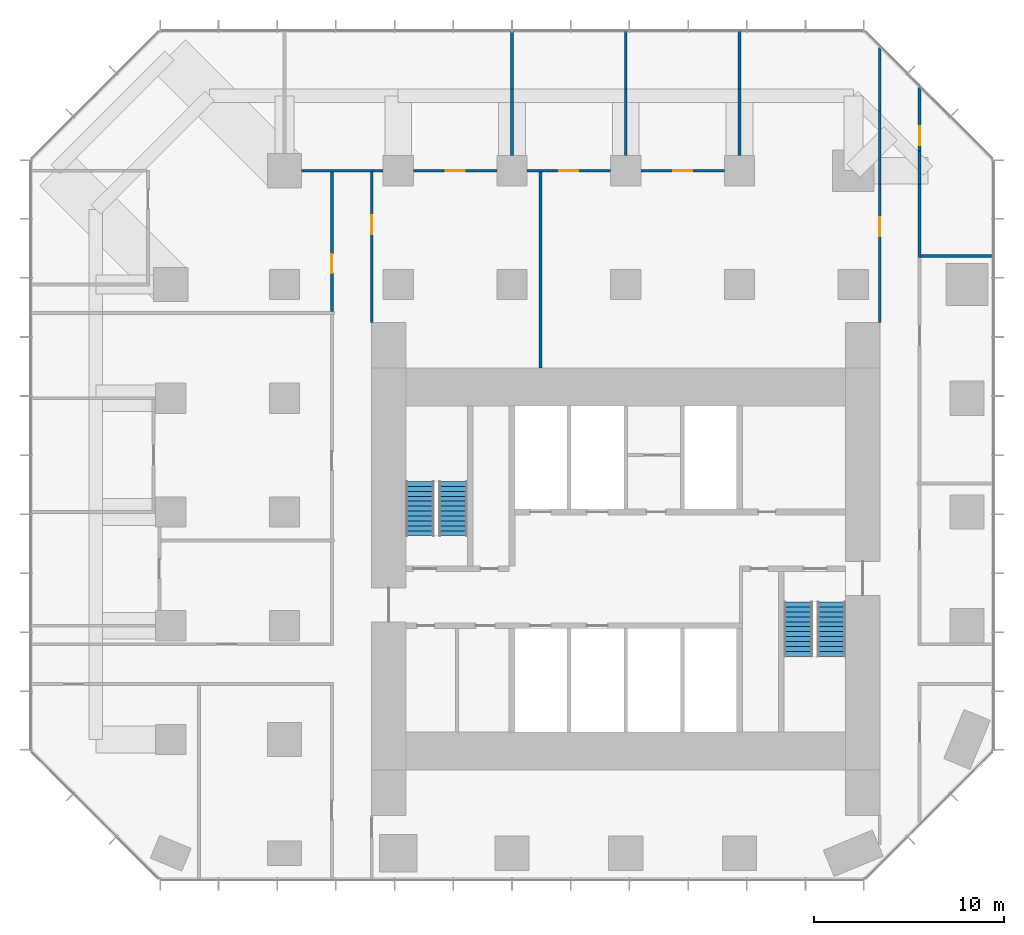
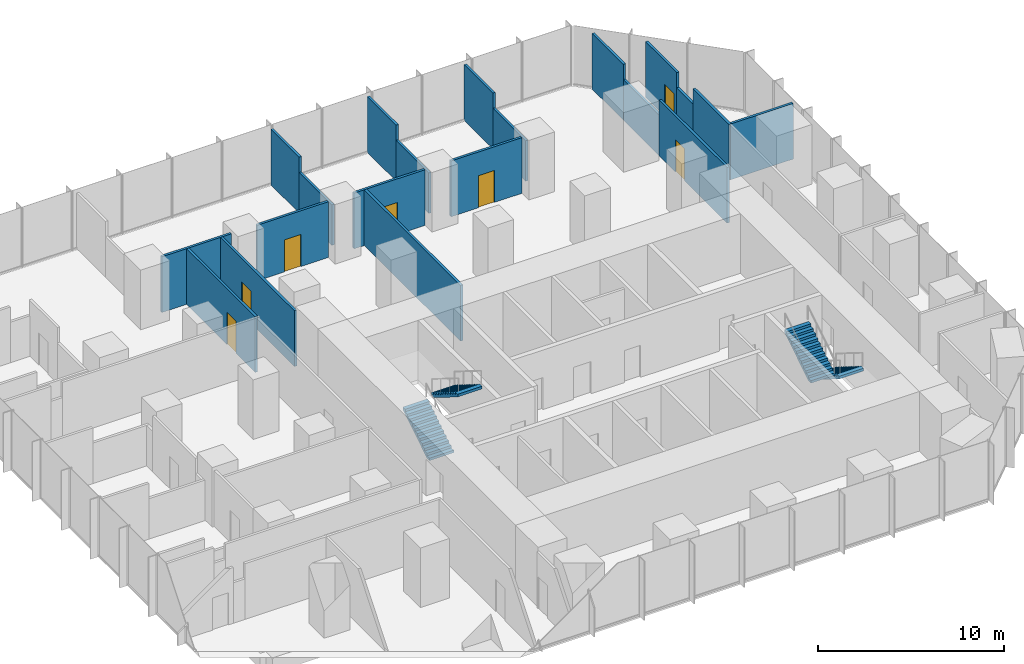
# One storey, part 10 of 11: 20 walls, 7 doors, 4 stair flights, 7 openings, 2 elements without a shape of their own.
"""IFC4 building model written with IfcOpenShell, lengths in metres."""

import ifcopenshell
import ifcopenshell.guid

model = None  # the IFC model being written
_history = None  # IfcOwnerHistory: only IFC2X3 demands one
_inside = {}  # id of a spatial element -> (the spatial element, [elements in it])
_under = {}  # id of a project, library or spatial element -> (it, [spatial elements below it])
_declared = {}  # id of a project -> (the project, [libraries it declares])
_typed = {}  # id of a type object -> (the type object, [elements of that type])
_made_of = {}  # id of a material, layer set ... -> (it, [elements and type objects made of it])


def new_model(schema):
    """Start an empty IFC model of exactly this schema.

    Asked for "IFC4X3", IfcOpenShell would pick the latest addendum, in which some entities
    have other attributes; the version numbers below select the first issue.
    IFC2X3 requires an IfcOwnerHistory on every rooted entity: one is made here for all.
    """
    global model, _history
    if schema == "IFC4X3":
        model = ifcopenshell.file(schema_version=(4, 3, 0, 0))
    else:
        model = ifcopenshell.file(schema=schema)
    _inside.clear()
    _under.clear()
    _declared.clear()
    _typed.clear()
    _made_of.clear()
    _history = None
    if model.schema == "IFC2X3":
        org = make("IfcOrganization", Name="unknown")
        user = make(
            "IfcPersonAndOrganization",
            ThePerson=make("IfcPerson", FamilyName="unknown"),
            TheOrganization=org,
        )
        app = make(
            "IfcApplication",
            ApplicationDeveloper=org,
            Version="unknown",
            ApplicationFullName="unknown",
            ApplicationIdentifier="unknown",
        )
        _history = make(
            "IfcOwnerHistory",
            OwningUser=user,
            OwningApplication=app,
            ChangeAction="ADDED",
            CreationDate=0,
        )
    return model


def make(cls, **values):
    """One entity of the class cls with the attributes given. An attribute that is None is left unset."""
    return model.create_entity(
        cls, **{name: value for name, value in values.items() if value is not None}
    )


def rooted(cls, **values):
    """An entity with a GlobalId (a new one), such as an element, a storey or a relation."""
    return make(cls, GlobalId=ifcopenshell.guid.new(), OwnerHistory=_history, **values)


def si_unit(unit_type, name, prefix=None):
    """IfcSIUnit, for example si_unit("LENGTHUNIT", "METRE", prefix="MILLI")."""
    return make("IfcSIUnit", UnitType=unit_type, Prefix=prefix, Name=name)


def assignment(units):
    """IfcUnitAssignment: the units of a project."""
    return None if units is None else make("IfcUnitAssignment", Units=units)


def point(xyz):
    """IfcCartesianPoint."""
    return None if xyz is None else make("IfcCartesianPoint", Coordinates=xyz)


def direction(xyz):
    """IfcDirection."""
    return None if xyz is None else make("IfcDirection", DirectionRatios=xyz)


def frame(location, z_axis=None, x_axis=None):
    """IfcAxis2Placement3D, a coordinate frame: its origin and axes. An axis left out is left unset."""
    return make(
        "IfcAxis2Placement3D",
        Location=point(location),
        Axis=direction(z_axis),
        RefDirection=direction(x_axis),
    )


def frame_2d(location, x_axis=None):
    """IfcAxis2Placement2D, a coordinate frame in the plane: its origin and x axis."""
    return make(
        "IfcAxis2Placement2D", Location=point(location), RefDirection=direction(x_axis)
    )


def origin():
    """The frame at (0, 0, 0) with its axes left unset."""
    return frame((0.0, 0.0, 0.0))


def place(relative_to, where):
    """IfcLocalPlacement: puts the frame where relative to a parent placement (None: the world)."""
    return make(
        "IfcLocalPlacement", PlacementRelTo=relative_to, RelativePlacement=where
    )


def context(
    kind, dimensions, precision=None, world=None, true_north=None, identifier=None
):
    """IfcGeometricRepresentationContext, for example the 3D "Model" context."""
    return make(
        "IfcGeometricRepresentationContext",
        ContextIdentifier=identifier,
        ContextType=kind,
        CoordinateSpaceDimension=dimensions,
        Precision=precision,
        WorldCoordinateSystem=world,
        TrueNorth=true_north,
    )


def subcontext(parent, identifier, kind, view, scale=None):
    """IfcGeometricRepresentationSubContext, for example "Body" below "Model"."""
    return make(
        "IfcGeometricRepresentationSubContext",
        ContextIdentifier=identifier,
        ContextType=kind,
        ParentContext=parent,
        TargetScale=scale,
        TargetView=view,
    )


def project(units=None, contexts=None):
    """IfcProject with its units and contexts."""
    return rooted(
        "IfcProject",
        Name="project",
        RepresentationContexts=contexts,
        UnitsInContext=assignment(units),
    )


def spatial(cls, under=None, at=None, **own):
    """A site, building, storey or space (cls), placed at a placement, below another one or the project."""
    s = rooted(cls, ObjectPlacement=at, **own)
    if under is not None:
        _under.setdefault(under.id(), (under, []))[1].append(s)
    return s


def polyline(points):
    """IfcPolyline through the points."""
    return make("IfcPolyline", Points=[point(p) for p in points])


def profile(cls, at=None, kind="AREA", **sizes):
    """A parametric profile (cls). Its sizes go by their IFC names, for example OverallWidth=200.0."""
    return make(cls, ProfileType=kind, Position=at, **sizes)


def rectangle(**sizes):
    """IfcRectangleProfileDef."""
    return profile("IfcRectangleProfileDef", **sizes)


def outline(outer, holes=None, kind="AREA"):
    """IfcArbitraryClosedProfileDef: a profile drawn as a closed curve; with holes, ...WithVoids."""
    if holes is None:
        return make("IfcArbitraryClosedProfileDef", ProfileType=kind, OuterCurve=outer)
    return make(
        "IfcArbitraryProfileDefWithVoids",
        ProfileType=kind,
        OuterCurve=outer,
        InnerCurves=holes,
    )


def extrude(swept, where, along, depth):
    """IfcExtrudedAreaSolid: the profile swept, set in the frame where, extruded along a direction by depth."""
    return make(
        "IfcExtrudedAreaSolid",
        SweptArea=swept,
        Position=where,
        ExtrudedDirection=direction(along),
        Depth=depth,
    )


def shape(context_of_items, identifier, shape_type, items):
    """IfcShapeRepresentation: the items that make up one representation, for example the "Body"."""
    return make(
        "IfcShapeRepresentation",
        ContextOfItems=context_of_items,
        RepresentationIdentifier=identifier,
        RepresentationType=shape_type,
        Items=items,
    )


def material(Name=None, Category=None):
    """IfcMaterial."""
    return make("IfcMaterial", Name=Name, Category=Category)


def layer(
    of_material, thickness, ventilated=None, Name=None, Category=None, Priority=None
):
    """IfcMaterialLayer: one layer of a wall or slab, of a material (None: an air gap)."""
    return make(
        "IfcMaterialLayer",
        Material=of_material,
        LayerThickness=thickness,
        IsVentilated=ventilated,
        Name=Name,
        Category=Category,
        Priority=Priority,
    )


def layer_set(layers, Name=None):
    """IfcMaterialLayerSet."""
    return make("IfcMaterialLayerSet", MaterialLayers=layers, LayerSetName=Name)


def made_of(thing, what):
    """Note that an element or type object is made of a material, layer set ...; save() writes the relation."""
    if what is not None:
        _made_of.setdefault(what.id(), (what, []))[1].append(thing)
    return thing


def type_object(cls, material=None, **own):
    """A type object (cls), such as IfcWallType, which elements share."""
    return made_of(rooted(cls, **own), material)


def element(
    cls,
    number,
    at=None,
    inside=None,
    cuts=None,
    type_object=None,
    material=None,
    context=None,
    identifier="Body",
    shape_type=None,
    held_by="IfcProductDefinitionShape",
    body=None,
    shapes=None,
    **own,
):
    """One element of the class cls, such as IfcWall. Its Tag is "e" and its number.

    at: its placement. inside: the storey or other place that contains it. cuts: it is an
    opening in that element (IfcRelVoidsElement). A single representation is given by context,
    identifier, shape_type and body (its items); several are given by shapes. held_by: the class
    of the entity that holds the representations. save() writes the other relations.
    """
    e = rooted(cls, Tag="e%d" % number, ObjectPlacement=at, **own)
    if body is not None:
        shapes = [shape(context, identifier, shape_type, body)]
    if shapes is not None:
        e.Representation = make(held_by, Representations=shapes)
    if inside is not None:
        _inside.setdefault(inside.id(), (inside, []))[1].append(e)
    if cuts is not None:
        rooted(
            "IfcRelVoidsElement", RelatingBuildingElement=cuts, RelatedOpeningElement=e
        )
    if type_object is not None:
        _typed.setdefault(type_object.id(), (type_object, []))[1].append(e)
    return made_of(e, material)


def fill(opening, filler):
    """IfcRelFillsElement: the door or window that sits in an opening."""
    return rooted(
        "IfcRelFillsElement",
        RelatingOpeningElement=opening,
        RelatedBuildingElement=filler,
    )


def aggregate(whole, parts):
    """IfcRelAggregates: a whole, such as a stair, and the parts it consists of."""
    return rooted("IfcRelAggregates", RelatingObject=whole, RelatedObjects=parts)


def save(model, path):
    """Write the relations noted so far, then the file.

    IfcRelAggregates (storeys below a building ...), IfcRelContainedInSpatialStructure (elements
    in a storey), IfcRelDefinesByType, IfcRelAssociatesMaterial and IfcRelDeclares: one each for
    every whole, place, type object, material and project.
    """
    for whole, parts in _under.values():
        aggregate(whole, parts)
    for where, things in _inside.values():
        rooted(
            "IfcRelContainedInSpatialStructure",
            RelatedElements=things,
            RelatingStructure=where,
        )
    for kind, things in _typed.values():
        rooted("IfcRelDefinesByType", RelatedObjects=things, RelatingType=kind)
    for what, things in _made_of.values():
        rooted("IfcRelAssociatesMaterial", RelatedObjects=things, RelatingMaterial=what)
    for by, libraries in _declared.values():
        rooted("IfcRelDeclares", RelatingContext=by, RelatedDefinitions=libraries)
    model.write(path)


model = new_model("IFC4")

# Units and contexts
model_context = context("Model", 3, precision=1e-05, world=origin(), true_north=direction((0.0, 1.0)))
body_context = subcontext(model_context, "Body", "Model", "MODEL_VIEW")
ifc_project = project(units=[si_unit("LENGTHUNIT", "METRE"), si_unit("AREAUNIT", "SQUARE_METRE"), si_unit("VOLUMEUNIT", "CUBIC_METRE"), si_unit("PLANEANGLEUNIT", "RADIAN"), si_unit("MASSUNIT", "GRAM", prefix="KILO")], contexts=[model_context])

# Site, building, storey
site_placement = place(None, origin())
site = spatial("IfcSite", under=ifc_project, at=site_placement, CompositionType="ELEMENT")
building_placement = place(site_placement, origin())
building = spatial("IfcBuilding", under=site, at=building_placement, Name="Highveld Stack Headquarters", CompositionType="ELEMENT")
storey_placement = place(building_placement, frame((0.0, 0.0, 109.39990234375)))
storey = spatial("IfcBuildingStorey", under=building, at=storey_placement, Name="L26", CompositionType="ELEMENT", Elevation=109.39990234375)

# Wall, opening, door
ifc_material_1 = material(Name="Laminated glass in aluminium frame", Category="aluminium")
ifc_layer_1 = layer(ifc_material_1, 0.14990234375)
ifc_layer_set_1 = layer_set([ifc_layer_1], Name="Laminated glass in aluminium frame")
wall_type_1 = type_object("IfcWallType", Name="GLAZED PARTITION 150", PredefinedType="PARTITIONING", material=ifc_layer_set_1)
wall_1_placement = place(storey_placement, frame((0.800048828125, 24.0, 0.0), z_axis=(0.0, 0.0, 1.0), x_axis=(1.0, 0.0, 0.0)))
wall_1 = element("IfcWall", 1, at=wall_1_placement, inside=storey, type_object=wall_type_1, Name="Glazed partition Meeting room L26", PredefinedType="PARTITIONING", context=body_context, shape_type="SweptSolid", body=[
    extrude(rectangle(XDim=4.39990234375, YDim=0.14990234375, at=frame_2d((2.199951171875, 0.0))), origin(), (0.0, 0.0, 1.0), 3.650146484375),
])
opening_1_placement = place(wall_1_placement, frame((1.699951171875, 0.0, 0.0)))
opening_1 = element("IfcOpeningElement", 2, at=opening_1_placement, cuts=wall_1, Name="Opening L26-16", PredefinedType="OPENING", context=body_context, shape_type="SweptSolid", body=[
    extrude(rectangle(XDim=1.0, YDim=2.10009765625, at=frame_2d((0.5, 1.050048828125))), frame((0.0, 0.0849609375, 0.0), z_axis=(0.0, -1.0, 0.0), x_axis=(1.0, 0.0, 0.0)), (0.0, 0.0, 1.0), 0.169921875),
])
ifc_material_2 = material(Name="Timber door, oiled ash", Category="wood")
door_type = type_object("IfcDoorType", Name="ROOM DOOR D6 1000x2100", OperationType="SINGLE_SWING_LEFT", PredefinedType="DOOR", material=ifc_material_2)
door_1_placement = place(opening_1_placement, origin())
door_1 = element("IfcDoor", 3, at=door_1_placement, inside=storey, type_object=door_type, Name="Meeting room door 1 L26", OperationType="SINGLE_SWING_RIGHT", OverallHeight=2.10009765625, OverallWidth=1.0, PredefinedType="DOOR", context=body_context, shape_type="SweptSolid", body=[
    extrude(rectangle(XDim=1.0, YDim=2.10009765625, at=frame_2d((0.5, 1.050048828125))), frame((0.0, 0.02490234375, 0.0), z_axis=(0.0, -1.0, 0.0), x_axis=(1.0, 0.0, 0.0)), (0.0, 0.0, 1.0), 0.050048828125),
])
fill(opening_1, door_1)

wall_2_placement = place(storey_placement, frame((6.800048828125, 24.0, 0.0), z_axis=(0.0, 0.0, 1.0), x_axis=(1.0, 0.0, 0.0)))
wall_2 = element("IfcWall", 4, at=wall_2_placement, inside=storey, type_object=wall_type_1, Name="Glazed partition Meeting room L26", PredefinedType="PARTITIONING", context=body_context, shape_type="SweptSolid", body=[
    extrude(rectangle(XDim=4.39990234375, YDim=0.14990234375, at=frame_2d((2.199951171875, 0.0))), origin(), (0.0, 0.0, 1.0), 3.650146484375),
])
opening_2_placement = place(wall_2_placement, frame((1.699951171875, 0.0, 0.0)))
opening_2 = element("IfcOpeningElement", 5, at=opening_2_placement, cuts=wall_2, Name="Opening L26-17", PredefinedType="OPENING", context=body_context, shape_type="SweptSolid", body=[
    extrude(rectangle(XDim=1.0, YDim=2.10009765625, at=frame_2d((0.5, 1.050048828125))), frame((0.0, 0.0849609375, 0.0), z_axis=(0.0, -1.0, 0.0), x_axis=(1.0, 0.0, 0.0)), (0.0, 0.0, 1.0), 0.169921875),
])
door_2_placement = place(opening_2_placement, origin())
door_2 = element("IfcDoor", 6, at=door_2_placement, inside=storey, type_object=door_type, Name="Meeting room door 1 L26", OperationType="SINGLE_SWING_RIGHT", OverallHeight=2.10009765625, OverallWidth=1.0, PredefinedType="DOOR", context=body_context, shape_type="SweptSolid", body=[
    extrude(rectangle(XDim=1.0, YDim=2.10009765625, at=frame_2d((0.5, 1.050048828125))), frame((0.0, 0.02490234375, 0.0), z_axis=(0.0, -1.0, 0.0), x_axis=(1.0, 0.0, 0.0)), (0.0, 0.0, 1.0), 0.050048828125),
])
fill(opening_2, door_2)

# Wall
ifc_material_3 = material(Name="Gypsum plasterboard on steel studs", Category="steel")
ifc_layer_2 = layer(ifc_material_3, 0.14990234375)
ifc_layer_set_2 = layer_set([ifc_layer_2], Name="Gypsum plasterboard on steel studs")
wall_type_2 = type_object("IfcWallType", Name="PARTITION 150 PLASTERBOARD", PredefinedType="PARTITIONING", material=ifc_layer_set_2)
wall_3_placement = place(storey_placement, frame((-11.10009765625, 24.0, 0.0), z_axis=(0.0, 0.0, 1.0), x_axis=(1.0, 0.0, 0.0)))
element("IfcWall", 7, at=wall_3_placement, inside=storey, type_object=wall_type_2, Name="Partition Team office L26", PredefinedType="PARTITIONING", context=body_context, shape_type="SweptSolid", body=[
    extrude(rectangle(XDim=4.300048828125, YDim=0.14990234375, at=frame_2d((2.14990234375, 0.0))), origin(), (0.0, 0.0, 1.0), 3.650146484375),
])

# Wall, opening, door
wall_4_placement = place(storey_placement, frame((-5.199951171875, 24.0, 0.0), z_axis=(0.0, 0.0, 1.0), x_axis=(1.0, 0.0, 0.0)))
wall_4 = element("IfcWall", 8, at=wall_4_placement, inside=storey, type_object=wall_type_2, Name="Partition Team office L26", PredefinedType="PARTITIONING", context=body_context, shape_type="SweptSolid", body=[
    extrude(rectangle(XDim=4.39990234375, YDim=0.14990234375, at=frame_2d((2.199951171875, 0.0))), origin(), (0.0, 0.0, 1.0), 3.650146484375),
])
opening_3_placement = place(wall_4_placement, frame((1.699951171875, 0.0, 0.0)))
opening_3 = element("IfcOpeningElement", 9, at=opening_3_placement, cuts=wall_4, Name="Opening L26-15", PredefinedType="OPENING", context=body_context, shape_type="SweptSolid", body=[
    extrude(rectangle(XDim=1.0, YDim=2.10009765625, at=frame_2d((0.5, 1.050048828125))), frame((0.0, 0.0849609375, 0.0), z_axis=(0.0, -1.0, 0.0), x_axis=(1.0, 0.0, 0.0)), (0.0, 0.0, 1.0), 0.169921875),
])
door_3_placement = place(opening_3_placement, origin())
door_3 = element("IfcDoor", 10, at=door_3_placement, inside=storey, type_object=door_type, Name="Team office door 1 L26", OperationType="SINGLE_SWING_LEFT", OverallHeight=2.10009765625, OverallWidth=1.0, PredefinedType="DOOR", context=body_context, shape_type="SweptSolid", body=[
    extrude(rectangle(XDim=1.0, YDim=2.10009765625, at=frame_2d((0.5, 1.050048828125))), frame((0.0, 0.02490234375, 0.0), z_axis=(0.0, -1.0, 0.0), x_axis=(1.0, 0.0, 0.0)), (0.0, 0.0, 1.0), 0.050048828125),
])
fill(opening_3, door_3)

# Walls
wall_5_placement = place(storey_placement, frame((0.0, 24.800048828125, 0.0), z_axis=(0.0, 0.0, 1.0), x_axis=(0.0, 1.0, 0.0)))
element("IfcWall", 11, at=wall_5_placement, inside=storey, type_object=wall_type_2, Name="Partition Meeting room / Team office L26", PredefinedType="PARTITIONING", context=body_context, shape_type="SweptSolid", body=[
    extrude(rectangle(XDim=3.510009765625, YDim=0.14990234375, at=frame_2d((1.7548828125, 0.0))), origin(), (0.0, 0.0, 1.0), 2.650146484375),
])
wall_6_placement = place(storey_placement, frame((0.0, 28.31005859375, 0.0), z_axis=(0.0, 0.0, 1.0), x_axis=(0.0, 1.0, 0.0)))
element("IfcWall", 12, at=wall_6_placement, inside=storey, type_object=wall_type_2, Name="Partition Meeting room / Team office L26", PredefinedType="PARTITIONING", context=body_context, shape_type="SweptSolid", body=[
    extrude(rectangle(XDim=3.0400390625, YDim=0.14990234375, at=frame_2d((1.52001953125, 0.0))), origin(), (0.0, 0.0, 1.0), 3.650146484375),
])
wall_7_placement = place(storey_placement, frame((6.0, 24.800048828125, 0.0), z_axis=(0.0, 0.0, 1.0), x_axis=(0.0, 1.0, 0.0)))
element("IfcWall", 13, at=wall_7_placement, inside=storey, type_object=wall_type_2, Name="Partition Meeting room L26", PredefinedType="PARTITIONING", context=body_context, shape_type="SweptSolid", body=[
    extrude(rectangle(XDim=3.510009765625, YDim=0.14990234375, at=frame_2d((1.7548828125, 0.0))), origin(), (0.0, 0.0, 1.0), 2.650146484375),
])
wall_8_placement = place(storey_placement, frame((6.0, 28.31005859375, 0.0), z_axis=(0.0, 0.0, 1.0), x_axis=(0.0, 1.0, 0.0)))
element("IfcWall", 14, at=wall_8_placement, inside=storey, type_object=wall_type_2, Name="Partition Meeting room L26", PredefinedType="PARTITIONING", context=body_context, shape_type="SweptSolid", body=[
    extrude(rectangle(XDim=3.08984375, YDim=0.14990234375, at=frame_2d((1.544921875, 0.0))), origin(), (0.0, 0.0, 1.0), 3.650146484375),
])
wall_9_placement = place(storey_placement, frame((12.0, 24.800048828125, 0.0), z_axis=(0.0, 0.0, 1.0), x_axis=(0.0, 1.0, 0.0)))
element("IfcWall", 15, at=wall_9_placement, inside=storey, type_object=wall_type_2, Name="Partition Meeting room L26", PredefinedType="PARTITIONING", context=body_context, shape_type="SweptSolid", body=[
    extrude(rectangle(XDim=3.510009765625, YDim=0.14990234375, at=frame_2d((1.7548828125, 0.0))), origin(), (0.0, 0.0, 1.0), 2.650146484375),
])
wall_10_placement = place(storey_placement, frame((12.0, 28.31005859375, 0.0), z_axis=(0.0, 0.0, 1.0), x_axis=(0.0, 1.0, 0.0)))
element("IfcWall", 16, at=wall_10_placement, inside=storey, type_object=wall_type_2, Name="Partition Meeting room L26", PredefinedType="PARTITIONING", context=body_context, shape_type="SweptSolid", body=[
    extrude(rectangle(XDim=3.08984375, YDim=0.14990234375, at=frame_2d((1.544921875, 0.0))), origin(), (0.0, 0.0, 1.0), 3.650146484375),
])

# Wall, opening, door
wall_11_placement = place(storey_placement, frame((-9.5, 16.574951171875, 0.0), z_axis=(0.0, 0.0, 1.0), x_axis=(0.0, 1.0, 0.0)))
wall_11 = element("IfcWall", 17, at=wall_11_placement, inside=storey, type_object=wall_type_2, Name="Partition office neighbourhood L26", PredefinedType="PARTITIONING", context=body_context, shape_type="SweptSolid", body=[
    extrude(rectangle(XDim=7.35009765625, YDim=0.14990234375, at=frame_2d((3.675048828125, 0.0))), origin(), (0.0, 0.0, 1.0), 3.650146484375),
])
opening_4_placement = place(wall_11_placement, frame((2.02392578125, 0.0, 0.0)))
opening_4 = element("IfcOpeningElement", 18, at=opening_4_placement, cuts=wall_11, Name="Opening L26-28", PredefinedType="OPENING", context=body_context, shape_type="SweptSolid", body=[
    extrude(rectangle(XDim=1.0, YDim=2.10009765625, at=frame_2d((0.5, 1.050048828125))), frame((0.0, 0.0849609375, 0.0), z_axis=(0.0, -1.0, 0.0), x_axis=(1.0, 0.0, 0.0)), (0.0, 0.0, 1.0), 0.169921875),
])
door_4_placement = place(opening_4_placement, origin())
door_4 = element("IfcDoor", 19, at=door_4_placement, inside=storey, type_object=door_type, Name="Office neighbourhood door L26", OperationType="SINGLE_SWING_LEFT", OverallHeight=2.10009765625, OverallWidth=1.0, PredefinedType="DOOR", context=body_context, shape_type="SweptSolid", body=[
    extrude(rectangle(XDim=1.0, YDim=2.10009765625, at=frame_2d((0.5, 1.050048828125))), frame((0.0, 0.02490234375, 0.0), z_axis=(0.0, -1.0, 0.0), x_axis=(1.0, 0.0, 0.0)), (0.0, 0.0, 1.0), 0.050048828125),
])
fill(opening_4, door_4)

wall_12_placement = place(storey_placement, frame((-7.39990234375, 16.0, 0.0), z_axis=(0.0, 0.0, 1.0), x_axis=(0.0, 1.0, 0.0)))
wall_12 = element("IfcWall", 20, at=wall_12_placement, inside=storey, type_object=wall_type_2, Name="Partition office neighbourhood L26", PredefinedType="PARTITIONING", context=body_context, shape_type="SweptSolid", body=[
    extrude(rectangle(XDim=7.925048828125, YDim=0.14990234375, at=frame_2d((3.96240234375, 0.0))), origin(), (0.0, 0.0, 1.0), 3.650146484375),
])
opening_5_placement = place(wall_12_placement, frame((4.65087890625, 0.0, 0.0)))
opening_5 = element("IfcOpeningElement", 21, at=opening_5_placement, cuts=wall_12, Name="Opening L26-25", PredefinedType="OPENING", context=body_context, shape_type="SweptSolid", body=[
    extrude(rectangle(XDim=1.0, YDim=2.10009765625, at=frame_2d((0.5, 1.050048828125))), frame((0.0, 0.0849609375, 0.0), z_axis=(0.0, -1.0, 0.0), x_axis=(1.0, 0.0, 0.0)), (0.0, 0.0, 1.0), 0.169921875),
])
door_5_placement = place(opening_5_placement, origin())
door_5 = element("IfcDoor", 22, at=door_5_placement, inside=storey, type_object=door_type, Name="Office neighbourhood door L26", OperationType="SINGLE_SWING_RIGHT", OverallHeight=2.10009765625, OverallWidth=1.0, PredefinedType="DOOR", context=body_context, shape_type="SweptSolid", body=[
    extrude(rectangle(XDim=1.0, YDim=2.10009765625, at=frame_2d((0.5, 1.050048828125))), frame((0.0, 0.02490234375, 0.0), z_axis=(0.0, -1.0, 0.0), x_axis=(1.0, 0.0, 0.0)), (0.0, 0.0, 1.0), 0.050048828125),
])
fill(opening_5, door_5)

# Wall
wall_13_placement = place(storey_placement, frame((1.5, 13.60009765625, 0.0), z_axis=(0.0, 0.0, 1.0), x_axis=(0.0, 1.0, 0.0)))
element("IfcWall", 23, at=wall_13_placement, inside=storey, type_object=wall_type_2, Name="Partition office neighbourhood L26", PredefinedType="PARTITIONING", context=body_context, shape_type="SweptSolid", body=[
    extrude(rectangle(XDim=10.324951171875, YDim=0.14990234375, at=frame_2d((5.16259765625, 0.0))), origin(), (0.0, 0.0, 1.0), 3.650146484375),
])

# Wall, opening, door
wall_14_placement = place(storey_placement, frame((19.39990234375, 16.0, 0.0), z_axis=(0.0, 0.0, 1.0), x_axis=(0.0, 1.0, 0.0)))
wall_14 = element("IfcWall", 24, at=wall_14_placement, inside=storey, type_object=wall_type_2, Name="Partition office neighbourhood L26", PredefinedType="PARTITIONING", context=body_context, shape_type="SweptSolid", body=[
    extrude(rectangle(XDim=7.2900390625, YDim=0.14990234375, at=frame_2d((3.64501953125, 0.0))), origin(), (0.0, 0.0, 1.0), 3.650146484375),
])
opening_6_placement = place(wall_14_placement, frame((4.553955078125, 0.0, 0.0)))
opening_6 = element("IfcOpeningElement", 25, at=opening_6_placement, cuts=wall_14, Name="Opening L26-26", PredefinedType="OPENING", context=body_context, shape_type="SweptSolid", body=[
    extrude(rectangle(XDim=1.0, YDim=2.10009765625, at=frame_2d((0.5, 1.050048828125))), frame((0.0, 0.0849609375, 0.0), z_axis=(0.0, -1.0, 0.0), x_axis=(1.0, 0.0, 0.0)), (0.0, 0.0, 1.0), 0.169921875),
])
door_6_placement = place(opening_6_placement, origin())
door_6 = element("IfcDoor", 26, at=door_6_placement, inside=storey, type_object=door_type, Name="Office neighbourhood door L26", OperationType="SINGLE_SWING_RIGHT", OverallHeight=2.10009765625, OverallWidth=1.0, PredefinedType="DOOR", context=body_context, shape_type="SweptSolid", body=[
    extrude(rectangle(XDim=1.0, YDim=2.10009765625, at=frame_2d((0.5, 1.050048828125))), frame((0.0, 0.02490234375, 0.0), z_axis=(0.0, -1.0, 0.0), x_axis=(1.0, 0.0, 0.0)), (0.0, 0.0, 1.0), 0.050048828125),
])
fill(opening_6, door_6)

# Walls
wall_15_placement = place(storey_placement, frame((19.39990234375, 23.2900390625, 0.0), z_axis=(0.0, 0.0, 1.0), x_axis=(0.0, 1.0, 0.0)))
element("IfcWall", 27, at=wall_15_placement, inside=storey, type_object=wall_type_2, Name="Partition office neighbourhood L26", PredefinedType="PARTITIONING", context=body_context, shape_type="SweptSolid", body=[
    extrude(rectangle(XDim=3.849853515625, YDim=0.14990234375, at=frame_2d((1.9248046875, 0.0))), origin(), (0.0, 0.0, 1.0), 2.650146484375),
])
wall_16_placement = place(storey_placement, frame((19.39990234375, 27.139892578125, 0.0), z_axis=(0.0, 0.0, 1.0), x_axis=(0.0, 1.0, 0.0)))
element("IfcWall", 28, at=wall_16_placement, inside=storey, type_object=wall_type_2, Name="Partition office neighbourhood L26", PredefinedType="PARTITIONING", context=body_context, shape_type="SweptSolid", body=[
    extrude(rectangle(XDim=3.34912109375, YDim=0.14990234375, at=frame_2d((1.674560546875, 0.0))), origin(), (0.0, 0.0, 1.0), 3.650146484375),
])
wall_17_placement = place(storey_placement, frame((21.5, 19.425048828125, 0.0), z_axis=(0.0, 0.0, 1.0), x_axis=(0.0, 1.0, 0.0)))
element("IfcWall", 29, at=wall_17_placement, inside=storey, type_object=wall_type_2, Name="Partition office neighbourhood L26", PredefinedType="PARTITIONING", context=body_context, shape_type="SweptSolid", body=[
    extrude(rectangle(XDim=3.864990234375, YDim=0.14990234375, at=frame_2d((1.9326171875, 0.0))), origin(), (0.0, 0.0, 1.0), 3.650146484375),
])
wall_18_placement = place(storey_placement, frame((21.5, 23.2900390625, 0.0), z_axis=(0.0, 0.0, 1.0), x_axis=(0.0, 1.0, 0.0)))
element("IfcWall", 30, at=wall_18_placement, inside=storey, type_object=wall_type_2, Name="Partition office neighbourhood L26", PredefinedType="PARTITIONING", context=body_context, shape_type="SweptSolid", body=[
    extrude(rectangle(XDim=1.75, YDim=0.14990234375, at=frame_2d((0.875, 0.0))), origin(), (0.0, 0.0, 1.0), 2.650146484375),
])

# Wall, opening, door
wall_19_placement = place(storey_placement, frame((21.5, 25.0400390625, 0.0), z_axis=(0.0, 0.0, 1.0), x_axis=(0.0, 1.0, 0.0)))
wall_19 = element("IfcWall", 31, at=wall_19_placement, inside=storey, type_object=wall_type_2, Name="Partition office neighbourhood L26", PredefinedType="PARTITIONING", context=body_context, shape_type="SweptSolid", body=[
    extrude(rectangle(XDim=3.347900390625, YDim=0.14990234375, at=frame_2d((1.673828125, 0.0))), origin(), (0.0, 0.0, 1.0), 3.650146484375),
])
opening_7_placement = place(wall_19_placement, frame((0.300048828125, 0.0, 0.0)))
opening_7 = element("IfcOpeningElement", 32, at=opening_7_placement, cuts=wall_19, Name="Opening L26-27", PredefinedType="OPENING", context=body_context, shape_type="SweptSolid", body=[
    extrude(rectangle(XDim=1.0, YDim=2.10009765625, at=frame_2d((0.5, 1.050048828125))), frame((0.0, 0.0849609375, 0.0), z_axis=(0.0, -1.0, 0.0), x_axis=(1.0, 0.0, 0.0)), (0.0, 0.0, 1.0), 0.169921875),
])
door_7_placement = place(opening_7_placement, origin())
door_7 = element("IfcDoor", 33, at=door_7_placement, inside=storey, type_object=door_type, Name="Office neighbourhood door L26", OperationType="SINGLE_SWING_LEFT", OverallHeight=2.10009765625, OverallWidth=1.0, PredefinedType="DOOR", context=body_context, shape_type="SweptSolid", body=[
    extrude(rectangle(XDim=1.0, YDim=2.10009765625, at=frame_2d((0.5, 1.050048828125))), frame((0.0, 0.02490234375, 0.0), z_axis=(0.0, -1.0, 0.0), x_axis=(1.0, 0.0, 0.0)), (0.0, 0.0, 1.0), 0.050048828125),
])
fill(opening_7, door_7)

# Wall
wall_20_placement = place(storey_placement, frame((21.5, 19.5, 0.0), z_axis=(0.0, 0.0, 1.0), x_axis=(1.0, 0.0, 0.0)))
element("IfcWall", 34, at=wall_20_placement, inside=storey, type_object=wall_type_2, Name="Partition office neighbourhood L26", PredefinedType="PARTITIONING", context=body_context, shape_type="SweptSolid", body=[
    extrude(rectangle(XDim=3.89990234375, YDim=0.14990234375, at=frame_2d((1.949951171875, 0.0))), origin(), (0.0, 0.0, 1.0), 3.650146484375),
])

# Stair, stair flights
ifc_material_4 = material(Name="Concrete C40/50, precast", Category="concrete")
stair_type_1 = type_object("IfcStairType", Name="STAIR S1 HALF TURN 1500", PredefinedType="HALF_TURN_STAIR", material=ifc_material_4)
stair_1_placement = place(storey_placement, origin())
stair_1 = element("IfcStair", 35, at=stair_1_placement, inside=storey, type_object=stair_type_1, Name="Stair S1 L26", PredefinedType="HALF_TURN_STAIR")
ifc_material_5 = material(Name="Concrete C40/50, precast", Category="concrete")
stair_flight_type = type_object("IfcStairFlightType", Name="STAIR FLIGHT 1500 PRECAST", PredefinedType="STRAIGHT", material=ifc_material_5)
stair_flight_1_placement = place(storey_placement, frame((-4.85009765625, 4.75, 0.0), z_axis=(0.0, 0.0, 1.0), x_axis=(0.0, 1.0, 0.0)))
stair_flight_1 = element("IfcStairFlight", 36, at=stair_flight_1_placement, type_object=stair_flight_type, Name="S1 flight 1", NumberOfRisers=12, NumberOfTreads=11, PredefinedType="STRAIGHT", RiserHeight=0.1625, TreadLength=0.26, context=body_context, shape_type="SweptSolid", body=[
    extrude(outline(polyline([(0.0, 0.0), (0.0, 0.16259765625), (0.260009765625, 0.16259765625), (0.260009765625, 0.324951171875), (0.52001953125, 0.324951171875), (0.52001953125, 0.487548828125), (0.780029296875, 0.487548828125), (0.780029296875, 0.64990234375), (1.0400390625, 0.64990234375), (1.0400390625, 0.8125), (1.300048828125, 0.8125), (1.300048828125, 0.97509765625), (1.56005859375, 0.97509765625), (1.56005859375, 1.137451171875), (1.820068359375, 1.137451171875), (1.820068359375, 1.300048828125), (2.080078125, 1.300048828125), (2.080078125, 1.46240234375), (2.340087890625, 1.46240234375), (2.340087890625, 1.625), (2.60009765625, 1.625), (2.60009765625, 1.78759765625), (2.860107421875, 1.78759765625), (2.860107421875, 1.949951171875), (2.860107421875, 1.61083984375), (0.28271484375, 0.0), (0.0, 0.0)])), frame((0.0, 0.75, 0.0), z_axis=(0.0, -1.0, 0.0), x_axis=(1.0, 0.0, 0.0)), (0.0, 0.0, 1.0), 1.5),
])
stair_flight_2_placement = place(storey_placement, frame((-3.10009765625, 7.610107421875, 1.9501953125), z_axis=(0.0, 0.0, 1.0), x_axis=(0.0, -1.0, 0.0)))
stair_flight_2 = element("IfcStairFlight", 37, at=stair_flight_2_placement, type_object=stair_flight_type, Name="S1 flight 2", NumberOfRisers=12, NumberOfTreads=11, PredefinedType="STRAIGHT", RiserHeight=0.1625, TreadLength=0.26, context=body_context, shape_type="SweptSolid", body=[
    extrude(outline(polyline([(0.0, 0.0), (0.0, 0.16259765625), (0.260009765625, 0.16259765625), (0.260009765625, 0.324951171875), (0.52001953125, 0.324951171875), (0.52001953125, 0.487548828125), (0.780029296875, 0.487548828125), (0.780029296875, 0.64990234375), (1.0400390625, 0.64990234375), (1.0400390625, 0.8125), (1.300048828125, 0.8125), (1.300048828125, 0.97509765625), (1.56005859375, 0.97509765625), (1.56005859375, 1.137451171875), (1.820068359375, 1.137451171875), (1.820068359375, 1.300048828125), (2.080078125, 1.300048828125), (2.080078125, 1.46240234375), (2.340087890625, 1.46240234375), (2.340087890625, 1.625), (2.60009765625, 1.625), (2.60009765625, 1.78759765625), (2.860107421875, 1.78759765625), (2.860107421875, 1.949951171875), (2.860107421875, 1.61083984375), (0.28271484375, 0.0), (0.0, 0.0)])), frame((0.0, 0.75, 0.0), z_axis=(0.0, -1.0, 0.0), x_axis=(1.0, 0.0, 0.0)), (0.0, 0.0, 1.0), 1.5),
])
aggregate(stair_1, [stair_flight_1, stair_flight_2])

ifc_material_6 = material(Name="Concrete C40/50, precast", Category="concrete")
stair_type_2 = type_object("IfcStairType", Name="STAIR S2 HALF TURN 1500", PredefinedType="HALF_TURN_STAIR", material=ifc_material_6)
stair_2_placement = place(storey_placement, origin())
stair_2 = element("IfcStair", 38, at=stair_2_placement, inside=storey, type_object=stair_type_2, Name="Stair S2 L26", PredefinedType="HALF_TURN_STAIR")
stair_flight_3_placement = place(storey_placement, frame((16.85009765625, 1.25, 0.0), z_axis=(0.0, 0.0, 1.0), x_axis=(0.0, -1.0, 0.0)))
stair_flight_3 = element("IfcStairFlight", 39, at=stair_flight_3_placement, type_object=stair_flight_type, Name="S2 flight 1", NumberOfRisers=12, NumberOfTreads=11, PredefinedType="STRAIGHT", RiserHeight=0.1625, TreadLength=0.26, context=body_context, shape_type="SweptSolid", body=[
    extrude(outline(polyline([(0.0, 0.0), (0.0, 0.16259765625), (0.260009765625, 0.16259765625), (0.260009765625, 0.324951171875), (0.52001953125, 0.324951171875), (0.52001953125, 0.487548828125), (0.780029296875, 0.487548828125), (0.780029296875, 0.64990234375), (1.0400390625, 0.64990234375), (1.0400390625, 0.8125), (1.300048828125, 0.8125), (1.300048828125, 0.97509765625), (1.56005859375, 0.97509765625), (1.56005859375, 1.137451171875), (1.820068359375, 1.137451171875), (1.820068359375, 1.300048828125), (2.080078125, 1.300048828125), (2.080078125, 1.46240234375), (2.340087890625, 1.46240234375), (2.340087890625, 1.625), (2.60009765625, 1.625), (2.60009765625, 1.78759765625), (2.860107421875, 1.78759765625), (2.860107421875, 1.949951171875), (2.860107421875, 1.61083984375), (0.28271484375, 0.0), (0.0, 0.0)])), frame((0.0, 0.75, 0.0), z_axis=(0.0, -1.0, 0.0), x_axis=(1.0, 0.0, 0.0)), (0.0, 0.0, 1.0), 1.5),
])
stair_flight_4_placement = place(storey_placement, frame((15.10009765625, -1.610107421875, 1.9501953125), z_axis=(0.0, 0.0, 1.0), x_axis=(0.0, 1.0, 0.0)))
stair_flight_4 = element("IfcStairFlight", 40, at=stair_flight_4_placement, type_object=stair_flight_type, Name="S2 flight 2", NumberOfRisers=12, NumberOfTreads=11, PredefinedType="STRAIGHT", RiserHeight=0.1625, TreadLength=0.26, context=body_context, shape_type="SweptSolid", body=[
    extrude(outline(polyline([(0.0, 0.0), (0.0, 0.16259765625), (0.260009765625, 0.16259765625), (0.260009765625, 0.324951171875), (0.52001953125, 0.324951171875), (0.52001953125, 0.487548828125), (0.780029296875, 0.487548828125), (0.780029296875, 0.64990234375), (1.0400390625, 0.64990234375), (1.0400390625, 0.8125), (1.300048828125, 0.8125), (1.300048828125, 0.97509765625), (1.56005859375, 0.97509765625), (1.56005859375, 1.137451171875), (1.820068359375, 1.137451171875), (1.820068359375, 1.300048828125), (2.080078125, 1.300048828125), (2.080078125, 1.46240234375), (2.340087890625, 1.46240234375), (2.340087890625, 1.625), (2.60009765625, 1.625), (2.60009765625, 1.78759765625), (2.860107421875, 1.78759765625), (2.860107421875, 1.949951171875), (2.860107421875, 1.61083984375), (0.28271484375, 0.0), (0.0, 0.0)])), frame((0.0, 0.75, 0.0), z_axis=(0.0, -1.0, 0.0), x_axis=(1.0, 0.0, 0.0)), (0.0, 0.0, 1.0), 1.5),
])
aggregate(stair_2, [stair_flight_3, stair_flight_4])

save(model, "model.ifc")
